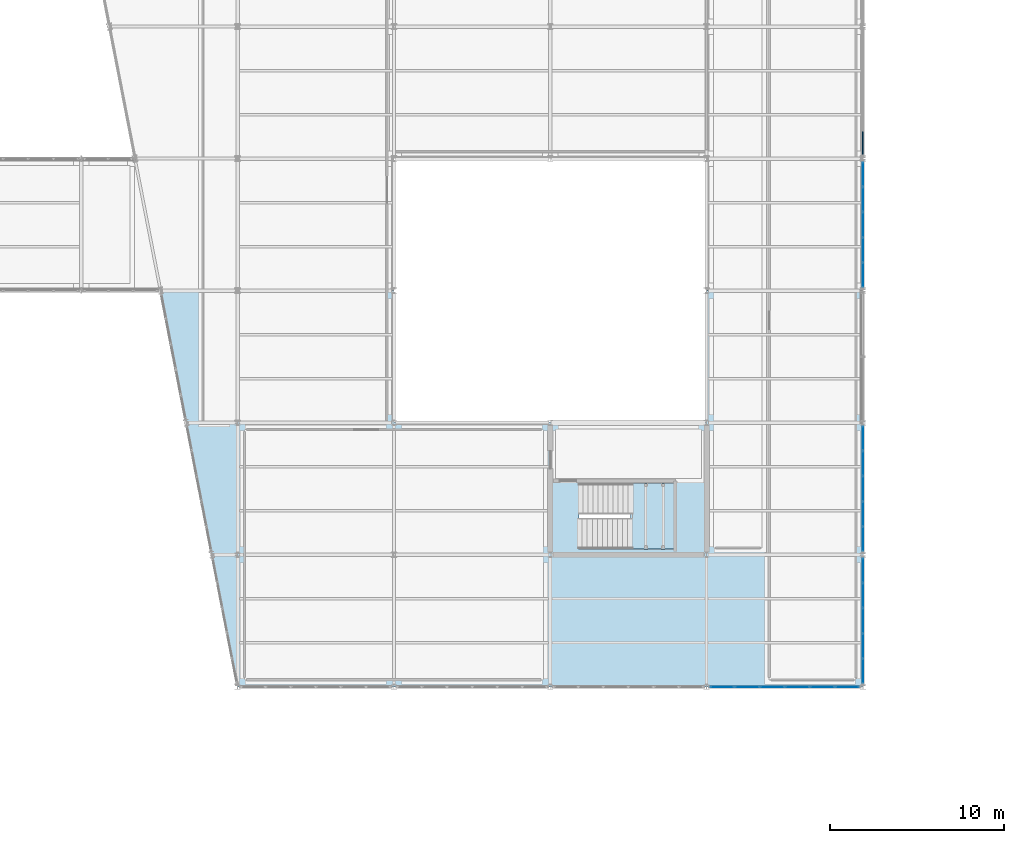
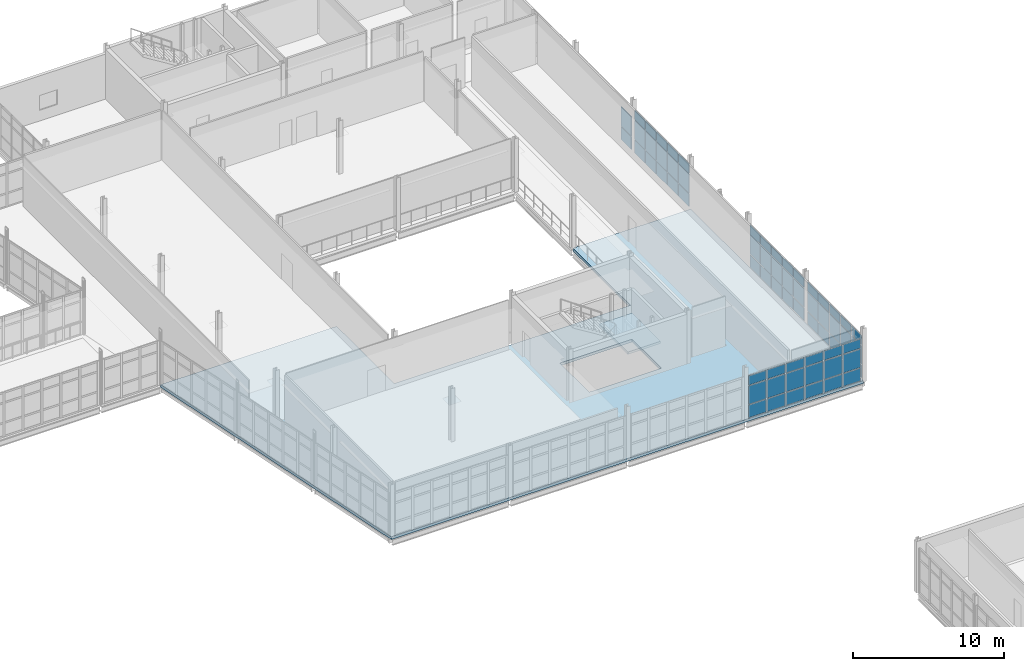
# One storey, part 137 of 166: 65 plates, 2 slabs, 6 elements without a shape of their own.
"""IFC4 building model written with IfcOpenShell, lengths in metres."""

from ifc_helpers import new_model, si_unit, direction, frame, origin, origin_2d, place, context, subcontext, project, spatial, polyline, rectangle, outline, extrude, material, layer, layer_set, type_object, element, aggregate, save


model = new_model("IFC4")

# Units and contexts
model_context = context("Model", 3, precision=1e-05, world=origin(), true_north=direction((0.0, 1.0)))
body_context = subcontext(model_context, "Body", "Model", "MODEL_VIEW")
ifc_project = project(units=[si_unit("LENGTHUNIT", "METRE"), si_unit("AREAUNIT", "SQUARE_METRE"), si_unit("VOLUMEUNIT", "CUBIC_METRE"), si_unit("PLANEANGLEUNIT", "RADIAN"), si_unit("MASSUNIT", "GRAM", prefix="KILO")], contexts=[model_context])

# Site, building, storey
site_placement = place(None, origin())
site = spatial("IfcSite", under=ifc_project, at=site_placement, CompositionType="ELEMENT")
building_placement = place(site_placement, origin())
building = spatial("IfcBuilding", under=site, at=building_placement, Name="Caisbarro Railhouse Central Library", CompositionType="ELEMENT")
storey_placement = place(building_placement, frame((0.0, 0.0, 9.360107421875)))
storey = spatial("IfcBuildingStorey", under=building, at=storey_placement, Name="L02", CompositionType="ELEMENT", Elevation=9.360107421875)

# Curtain wall, plates
ifc_material_1 = material(Name="Anodised architectural aluminium", Category="aluminium")
curtain_wall_type_1 = type_object("IfcCurtainWallType", Name="CW-CW03", PredefinedType="NOTDEFINED", material=ifc_material_1)
curtain_wall_1_placement = place(storey_placement, origin())
curtain_wall_1 = element("IfcCurtainWall", 1, at=curtain_wall_1_placement, inside=storey, type_object=curtain_wall_type_1, Name="CW03 curtain wall L02 #137", PredefinedType="NOTDEFINED")
ifc_material_2 = material(Name="Double low-e laminated solar-control glass", Category="glass")
ifc_layer_1 = layer(ifc_material_2, 0.01806640625, Name="Double low-e laminated solar-control glass")
ifc_layer_set_1 = layer_set([ifc_layer_1], Name="Double low-e laminated solar-control glass")
plate_type_1 = type_object("IfcPlateType", Name="CWP-CP18", PredefinedType="CURTAIN_PANEL", material=ifc_layer_set_1)
plate_1_placement = place(storey_placement, frame((153.0, 61.704345703125, 0.06494140625), z_axis=(0.0, 0.0, 1.0), x_axis=(0.0, 1.0, 0.0)))
plate_1 = element("IfcPlate", 2, at=plate_1_placement, type_object=plate_type_1, Name="CW03 panel 1.1", PredefinedType="CURTAIN_PANEL", context=body_context, shape_type="SweptSolid", body=[
    extrude(rectangle(XDim=1.3583984375, YDim=0.01806640625, at=origin_2d()), origin(), (0.0, 0.0, 1.0), 1.0224609375),
])
plate_2_placement = place(storey_placement, frame((153.0, 61.704345703125, 1.15234375), z_axis=(0.0, 0.0, 1.0), x_axis=(0.0, 1.0, 0.0)))
plate_2 = element("IfcPlate", 3, at=plate_2_placement, type_object=plate_type_1, Name="CW03 panel 1.2", PredefinedType="CURTAIN_PANEL", context=body_context, shape_type="SweptSolid", body=[
    extrude(rectangle(XDim=1.3583984375, YDim=0.01806640625, at=origin_2d()), origin(), (0.0, 0.0, 1.0), 1.52490234375),
])
plate_3_placement = place(storey_placement, frame((153.0, 61.704345703125, 2.742431640625), z_axis=(0.0, 0.0, 1.0), x_axis=(0.0, 1.0, 0.0)))
plate_3 = element("IfcPlate", 4, at=plate_3_placement, type_object=plate_type_1, Name="CW03 panel 1.3", PredefinedType="CURTAIN_PANEL", context=body_context, shape_type="SweptSolid", body=[
    extrude(rectangle(XDim=1.3583984375, YDim=0.01806640625, at=origin_2d()), origin(), (0.0, 0.0, 1.0), 0.75244140625),
])
plate_4_placement = place(storey_placement, frame((153.0, 63.14404296875, 0.06494140625), z_axis=(0.0, 0.0, 1.0), x_axis=(0.0, 1.0, 0.0)))
plate_4 = element("IfcPlate", 5, at=plate_4_placement, type_object=plate_type_1, Name="CW03 panel 2.1", PredefinedType="CURTAIN_PANEL", context=body_context, shape_type="SweptSolid", body=[
    extrude(rectangle(XDim=1.39111328125, YDim=0.01806640625, at=origin_2d()), origin(), (0.0, 0.0, 1.0), 1.0224609375),
])
plate_5_placement = place(storey_placement, frame((153.0, 63.14404296875, 1.15234375), z_axis=(0.0, 0.0, 1.0), x_axis=(0.0, 1.0, 0.0)))
plate_5 = element("IfcPlate", 6, at=plate_5_placement, type_object=plate_type_1, Name="CW03 panel 2.2", PredefinedType="CURTAIN_PANEL", context=body_context, shape_type="SweptSolid", body=[
    extrude(rectangle(XDim=1.39111328125, YDim=0.01806640625, at=origin_2d()), origin(), (0.0, 0.0, 1.0), 1.52490234375),
])
plate_6_placement = place(storey_placement, frame((153.0, 63.14404296875, 2.742431640625), z_axis=(0.0, 0.0, 1.0), x_axis=(0.0, 1.0, 0.0)))
plate_6 = element("IfcPlate", 7, at=plate_6_placement, type_object=plate_type_1, Name="CW03 panel 2.3", PredefinedType="CURTAIN_PANEL", context=body_context, shape_type="SweptSolid", body=[
    extrude(rectangle(XDim=1.39111328125, YDim=0.01806640625, at=origin_2d()), origin(), (0.0, 0.0, 1.0), 0.75244140625),
])
plate_7_placement = place(storey_placement, frame((153.0, 64.60009765625, 0.06494140625), z_axis=(0.0, 0.0, 1.0), x_axis=(0.0, 1.0, 0.0)))
plate_7 = element("IfcPlate", 8, at=plate_7_placement, type_object=plate_type_1, Name="CW03 panel 3.1", PredefinedType="CURTAIN_PANEL", context=body_context, shape_type="SweptSolid", body=[
    extrude(rectangle(XDim=1.39111328125, YDim=0.01806640625, at=origin_2d()), origin(), (0.0, 0.0, 1.0), 1.0224609375),
])
plate_8_placement = place(storey_placement, frame((153.0, 64.60009765625, 1.15234375), z_axis=(0.0, 0.0, 1.0), x_axis=(0.0, 1.0, 0.0)))
plate_8 = element("IfcPlate", 9, at=plate_8_placement, type_object=plate_type_1, Name="CW03 panel 3.2", PredefinedType="CURTAIN_PANEL", context=body_context, shape_type="SweptSolid", body=[
    extrude(rectangle(XDim=1.39111328125, YDim=0.01806640625, at=origin_2d()), origin(), (0.0, 0.0, 1.0), 1.52490234375),
])
plate_9_placement = place(storey_placement, frame((153.0, 64.60009765625, 2.742431640625), z_axis=(0.0, 0.0, 1.0), x_axis=(0.0, 1.0, 0.0)))
plate_9 = element("IfcPlate", 10, at=plate_9_placement, type_object=plate_type_1, Name="CW03 panel 3.3", PredefinedType="CURTAIN_PANEL", context=body_context, shape_type="SweptSolid", body=[
    extrude(rectangle(XDim=1.39111328125, YDim=0.01806640625, at=origin_2d()), origin(), (0.0, 0.0, 1.0), 0.75244140625),
])
plate_10_placement = place(storey_placement, frame((153.0, 66.055908203125, 0.06494140625), z_axis=(0.0, 0.0, 1.0), x_axis=(0.0, 1.0, 0.0)))
plate_10 = element("IfcPlate", 11, at=plate_10_placement, type_object=plate_type_1, Name="CW03 panel 4.1", PredefinedType="CURTAIN_PANEL", context=body_context, shape_type="SweptSolid", body=[
    extrude(rectangle(XDim=1.39111328125, YDim=0.01806640625, at=origin_2d()), origin(), (0.0, 0.0, 1.0), 1.0224609375),
])
plate_11_placement = place(storey_placement, frame((153.0, 66.055908203125, 1.15234375), z_axis=(0.0, 0.0, 1.0), x_axis=(0.0, 1.0, 0.0)))
plate_11 = element("IfcPlate", 12, at=plate_11_placement, type_object=plate_type_1, Name="CW03 panel 4.2", PredefinedType="CURTAIN_PANEL", context=body_context, shape_type="SweptSolid", body=[
    extrude(rectangle(XDim=1.39111328125, YDim=0.01806640625, at=origin_2d()), origin(), (0.0, 0.0, 1.0), 1.52490234375),
])
plate_12_placement = place(storey_placement, frame((153.0, 66.055908203125, 2.742431640625), z_axis=(0.0, 0.0, 1.0), x_axis=(0.0, 1.0, 0.0)))
plate_12 = element("IfcPlate", 13, at=plate_12_placement, type_object=plate_type_1, Name="CW03 panel 4.3", PredefinedType="CURTAIN_PANEL", context=body_context, shape_type="SweptSolid", body=[
    extrude(rectangle(XDim=1.39111328125, YDim=0.01806640625, at=origin_2d()), origin(), (0.0, 0.0, 1.0), 0.75244140625),
])
plate_13_placement = place(storey_placement, frame((153.0, 67.495849609375, 0.06494140625), z_axis=(0.0, 0.0, 1.0), x_axis=(0.0, 1.0, 0.0)))
plate_13 = element("IfcPlate", 14, at=plate_13_placement, type_object=plate_type_1, Name="CW03 panel 5.1", PredefinedType="CURTAIN_PANEL", context=body_context, shape_type="SweptSolid", body=[
    extrude(rectangle(XDim=1.3583984375, YDim=0.01806640625, at=origin_2d()), origin(), (0.0, 0.0, 1.0), 1.0224609375),
])
plate_14_placement = place(storey_placement, frame((153.0, 67.495849609375, 1.15234375), z_axis=(0.0, 0.0, 1.0), x_axis=(0.0, 1.0, 0.0)))
plate_14 = element("IfcPlate", 15, at=plate_14_placement, type_object=plate_type_1, Name="CW03 panel 5.2", PredefinedType="CURTAIN_PANEL", context=body_context, shape_type="SweptSolid", body=[
    extrude(rectangle(XDim=1.3583984375, YDim=0.01806640625, at=origin_2d()), origin(), (0.0, 0.0, 1.0), 1.52490234375),
])
plate_15_placement = place(storey_placement, frame((153.0, 67.495849609375, 2.742431640625), z_axis=(0.0, 0.0, 1.0), x_axis=(0.0, 1.0, 0.0)))
plate_15 = element("IfcPlate", 16, at=plate_15_placement, type_object=plate_type_1, Name="CW03 panel 5.3", PredefinedType="CURTAIN_PANEL", context=body_context, shape_type="SweptSolid", body=[
    extrude(rectangle(XDim=1.3583984375, YDim=0.01806640625, at=origin_2d()), origin(), (0.0, 0.0, 1.0), 0.75244140625),
])
aggregate(curtain_wall_1, [plate_1, plate_2, plate_3, plate_4, plate_5, plate_6, plate_7, plate_8, plate_9, plate_10, plate_11, plate_12, plate_13, plate_14, plate_15])

curtain_wall_type_2 = type_object("IfcCurtainWallType", Name="CW-CW02", PredefinedType="NOTDEFINED", material=ifc_material_1)
curtain_wall_2_placement = place(storey_placement, origin())
curtain_wall_2 = element("IfcCurtainWall", 17, at=curtain_wall_2_placement, inside=storey, type_object=curtain_wall_type_2, Name="CW02 curtain wall L02 #136", PredefinedType="NOTDEFINED")
ifc_layer_2 = layer(ifc_material_2, 0.028076171875, Name="Double low-e laminated solar-control glass")
ifc_layer_set_2 = layer_set([ifc_layer_2], Name="Double low-e laminated solar-control glass")
plate_type_2 = type_object("IfcPlateType", Name="CWP-CP28", PredefinedType="CURTAIN_PANEL", material=ifc_layer_set_2)
plate_16_placement = place(storey_placement, frame((144.902099609375, 60.800048828125, 0.07470703125), z_axis=(0.0, 0.0, 1.0), x_axis=(1.0, 0.0, 0.0)))
plate_16 = element("IfcPlate", 18, at=plate_16_placement, type_object=plate_type_2, Name="CW02 panel 1.1", PredefinedType="CURTAIN_PANEL", context=body_context, shape_type="SweptSolid", body=[
    extrude(rectangle(XDim=1.334228515625, YDim=0.028076171875, at=origin_2d()), origin(), (0.0, 0.0, 1.0), 1.007568359375),
])
plate_17_placement = place(storey_placement, frame((144.902099609375, 60.800048828125, 1.1572265625), z_axis=(0.0, 0.0, 1.0), x_axis=(1.0, 0.0, 0.0)))
plate_17 = element("IfcPlate", 19, at=plate_17_placement, type_object=plate_type_2, Name="CW02 panel 1.2", PredefinedType="CURTAIN_PANEL", context=body_context, shape_type="SweptSolid", body=[
    extrude(rectangle(XDim=1.334228515625, YDim=0.028076171875, at=origin_2d()), origin(), (0.0, 0.0, 1.0), 1.465087890625),
])
plate_18_placement = place(storey_placement, frame((144.902099609375, 60.800048828125, 2.697265625), z_axis=(0.0, 0.0, 1.0), x_axis=(1.0, 0.0, 0.0)))
plate_18 = element("IfcPlate", 20, at=plate_18_placement, type_object=plate_type_2, Name="CW02 panel 1.3", PredefinedType="CURTAIN_PANEL", context=body_context, shape_type="SweptSolid", body=[
    extrude(rectangle(XDim=1.334228515625, YDim=0.028076171875, at=origin_2d()), origin(), (0.0, 0.0, 1.0), 0.737548828125),
])
plate_19_placement = place(storey_placement, frame((146.330078125, 60.800048828125, 0.07470703125), z_axis=(0.0, 0.0, 1.0), x_axis=(1.0, 0.0, 0.0)))
plate_19 = element("IfcPlate", 21, at=plate_19_placement, type_object=plate_type_2, Name="CW02 panel 2.1", PredefinedType="CURTAIN_PANEL", context=body_context, shape_type="SweptSolid", body=[
    extrude(rectangle(XDim=1.37158203125, YDim=0.028076171875, at=origin_2d()), origin(), (0.0, 0.0, 1.0), 1.007568359375),
])
plate_20_placement = place(storey_placement, frame((146.330078125, 60.800048828125, 1.1572265625), z_axis=(0.0, 0.0, 1.0), x_axis=(1.0, 0.0, 0.0)))
plate_20 = element("IfcPlate", 22, at=plate_20_placement, type_object=plate_type_2, Name="CW02 panel 2.2", PredefinedType="CURTAIN_PANEL", context=body_context, shape_type="SweptSolid", body=[
    extrude(rectangle(XDim=1.37158203125, YDim=0.028076171875, at=origin_2d()), origin(), (0.0, 0.0, 1.0), 1.465087890625),
])
plate_21_placement = place(storey_placement, frame((146.330078125, 60.800048828125, 2.697265625), z_axis=(0.0, 0.0, 1.0), x_axis=(1.0, 0.0, 0.0)))
plate_21 = element("IfcPlate", 23, at=plate_21_placement, type_object=plate_type_2, Name="CW02 panel 2.3", PredefinedType="CURTAIN_PANEL", context=body_context, shape_type="SweptSolid", body=[
    extrude(rectangle(XDim=1.37158203125, YDim=0.028076171875, at=origin_2d()), origin(), (0.0, 0.0, 1.0), 0.737548828125),
])
plate_22_placement = place(storey_placement, frame((147.776611328125, 60.800048828125, 0.07470703125), z_axis=(0.0, 0.0, 1.0), x_axis=(1.0, 0.0, 0.0)))
plate_22 = element("IfcPlate", 24, at=plate_22_placement, type_object=plate_type_2, Name="CW02 panel 3.1", PredefinedType="CURTAIN_PANEL", context=body_context, shape_type="SweptSolid", body=[
    extrude(rectangle(XDim=1.37158203125, YDim=0.028076171875, at=origin_2d()), origin(), (0.0, 0.0, 1.0), 1.007568359375),
])
plate_23_placement = place(storey_placement, frame((147.776611328125, 60.800048828125, 1.1572265625), z_axis=(0.0, 0.0, 1.0), x_axis=(1.0, 0.0, 0.0)))
plate_23 = element("IfcPlate", 25, at=plate_23_placement, type_object=plate_type_2, Name="CW02 panel 3.2", PredefinedType="CURTAIN_PANEL", context=body_context, shape_type="SweptSolid", body=[
    extrude(rectangle(XDim=1.37158203125, YDim=0.028076171875, at=origin_2d()), origin(), (0.0, 0.0, 1.0), 1.465087890625),
])
plate_24_placement = place(storey_placement, frame((147.776611328125, 60.800048828125, 2.697265625), z_axis=(0.0, 0.0, 1.0), x_axis=(1.0, 0.0, 0.0)))
plate_24 = element("IfcPlate", 26, at=plate_24_placement, type_object=plate_type_2, Name="CW02 panel 3.3", PredefinedType="CURTAIN_PANEL", context=body_context, shape_type="SweptSolid", body=[
    extrude(rectangle(XDim=1.37158203125, YDim=0.028076171875, at=origin_2d()), origin(), (0.0, 0.0, 1.0), 0.737548828125),
])
plate_25_placement = place(storey_placement, frame((149.223388671875, 60.800048828125, 0.07470703125), z_axis=(0.0, 0.0, 1.0), x_axis=(1.0, 0.0, 0.0)))
plate_25 = element("IfcPlate", 27, at=plate_25_placement, type_object=plate_type_2, Name="CW02 panel 4.1", PredefinedType="CURTAIN_PANEL", context=body_context, shape_type="SweptSolid", body=[
    extrude(rectangle(XDim=1.37158203125, YDim=0.028076171875, at=origin_2d()), origin(), (0.0, 0.0, 1.0), 1.007568359375),
])
plate_26_placement = place(storey_placement, frame((149.223388671875, 60.800048828125, 1.1572265625), z_axis=(0.0, 0.0, 1.0), x_axis=(1.0, 0.0, 0.0)))
plate_26 = element("IfcPlate", 28, at=plate_26_placement, type_object=plate_type_2, Name="CW02 panel 4.2", PredefinedType="CURTAIN_PANEL", context=body_context, shape_type="SweptSolid", body=[
    extrude(rectangle(XDim=1.37158203125, YDim=0.028076171875, at=origin_2d()), origin(), (0.0, 0.0, 1.0), 1.465087890625),
])
plate_27_placement = place(storey_placement, frame((149.223388671875, 60.800048828125, 2.697265625), z_axis=(0.0, 0.0, 1.0), x_axis=(1.0, 0.0, 0.0)))
plate_27 = element("IfcPlate", 29, at=plate_27_placement, type_object=plate_type_2, Name="CW02 panel 4.3", PredefinedType="CURTAIN_PANEL", context=body_context, shape_type="SweptSolid", body=[
    extrude(rectangle(XDim=1.37158203125, YDim=0.028076171875, at=origin_2d()), origin(), (0.0, 0.0, 1.0), 0.737548828125),
])
plate_28_placement = place(storey_placement, frame((150.669921875, 60.800048828125, 0.07470703125), z_axis=(0.0, 0.0, 1.0), x_axis=(1.0, 0.0, 0.0)))
plate_28 = element("IfcPlate", 30, at=plate_28_placement, type_object=plate_type_2, Name="CW02 panel 5.1", PredefinedType="CURTAIN_PANEL", context=body_context, shape_type="SweptSolid", body=[
    extrude(rectangle(XDim=1.37158203125, YDim=0.028076171875, at=origin_2d()), origin(), (0.0, 0.0, 1.0), 1.007568359375),
])
plate_29_placement = place(storey_placement, frame((150.669921875, 60.800048828125, 1.1572265625), z_axis=(0.0, 0.0, 1.0), x_axis=(1.0, 0.0, 0.0)))
plate_29 = element("IfcPlate", 31, at=plate_29_placement, type_object=plate_type_2, Name="CW02 panel 5.2", PredefinedType="CURTAIN_PANEL", context=body_context, shape_type="SweptSolid", body=[
    extrude(rectangle(XDim=1.37158203125, YDim=0.028076171875, at=origin_2d()), origin(), (0.0, 0.0, 1.0), 1.465087890625),
])
plate_30_placement = place(storey_placement, frame((150.669921875, 60.800048828125, 2.697265625), z_axis=(0.0, 0.0, 1.0), x_axis=(1.0, 0.0, 0.0)))
plate_30 = element("IfcPlate", 32, at=plate_30_placement, type_object=plate_type_2, Name="CW02 panel 5.3", PredefinedType="CURTAIN_PANEL", context=body_context, shape_type="SweptSolid", body=[
    extrude(rectangle(XDim=1.37158203125, YDim=0.028076171875, at=origin_2d()), origin(), (0.0, 0.0, 1.0), 0.737548828125),
])
plate_31_placement = place(storey_placement, frame((152.097900390625, 60.800048828125, 0.07470703125), z_axis=(0.0, 0.0, 1.0), x_axis=(1.0, 0.0, 0.0)))
plate_31 = element("IfcPlate", 33, at=plate_31_placement, type_object=plate_type_2, Name="CW02 panel 6.1", PredefinedType="CURTAIN_PANEL", context=body_context, shape_type="SweptSolid", body=[
    extrude(rectangle(XDim=1.334228515625, YDim=0.028076171875, at=origin_2d()), origin(), (0.0, 0.0, 1.0), 1.007568359375),
])
plate_32_placement = place(storey_placement, frame((152.097900390625, 60.800048828125, 1.1572265625), z_axis=(0.0, 0.0, 1.0), x_axis=(1.0, 0.0, 0.0)))
plate_32 = element("IfcPlate", 34, at=plate_32_placement, type_object=plate_type_2, Name="CW02 panel 6.2", PredefinedType="CURTAIN_PANEL", context=body_context, shape_type="SweptSolid", body=[
    extrude(rectangle(XDim=1.334228515625, YDim=0.028076171875, at=origin_2d()), origin(), (0.0, 0.0, 1.0), 1.465087890625),
])
plate_33_placement = place(storey_placement, frame((152.097900390625, 60.800048828125, 2.697265625), z_axis=(0.0, 0.0, 1.0), x_axis=(1.0, 0.0, 0.0)))
plate_33 = element("IfcPlate", 35, at=plate_33_placement, type_object=plate_type_2, Name="CW02 panel 6.3", PredefinedType="CURTAIN_PANEL", context=body_context, shape_type="SweptSolid", body=[
    extrude(rectangle(XDim=1.334228515625, YDim=0.028076171875, at=origin_2d()), origin(), (0.0, 0.0, 1.0), 0.737548828125),
])
aggregate(curtain_wall_2, [plate_16, plate_17, plate_18, plate_19, plate_20, plate_21, plate_22, plate_23, plate_24, plate_25, plate_26, plate_27, plate_28, plate_29, plate_30, plate_31, plate_32, plate_33])

curtain_wall_3_placement = place(storey_placement, origin())
curtain_wall_3 = element("IfcCurtainWall", 36, at=curtain_wall_3_placement, inside=storey, type_object=curtain_wall_type_1, Name="CW03 curtain wall L02 #138", PredefinedType="NOTDEFINED")
plate_34_placement = place(storey_placement, frame((153.0, 69.30419921875, 0.06494140625), z_axis=(0.0, 0.0, 1.0), x_axis=(0.0, 1.0, 0.0)))
plate_34 = element("IfcPlate", 37, at=plate_34_placement, type_object=plate_type_2, Name="CW03 panel 1.1", PredefinedType="CURTAIN_PANEL", context=body_context, shape_type="SweptSolid", body=[
    extrude(rectangle(XDim=1.3583984375, YDim=0.028076171875, at=origin_2d()), origin(), (0.0, 0.0, 1.0), 1.0224609375),
])
plate_35_placement = place(storey_placement, frame((153.0, 69.30419921875, 1.15234375), z_axis=(0.0, 0.0, 1.0), x_axis=(0.0, 1.0, 0.0)))
plate_35 = element("IfcPlate", 38, at=plate_35_placement, type_object=plate_type_2, Name="CW03 panel 1.2", PredefinedType="CURTAIN_PANEL", context=body_context, shape_type="SweptSolid", body=[
    extrude(rectangle(XDim=1.3583984375, YDim=0.028076171875, at=origin_2d()), origin(), (0.0, 0.0, 1.0), 1.52490234375),
])
plate_36_placement = place(storey_placement, frame((153.0, 69.30419921875, 2.742431640625), z_axis=(0.0, 0.0, 1.0), x_axis=(0.0, 1.0, 0.0)))
plate_36 = element("IfcPlate", 39, at=plate_36_placement, type_object=plate_type_2, Name="CW03 panel 1.3", PredefinedType="CURTAIN_PANEL", context=body_context, shape_type="SweptSolid", body=[
    extrude(rectangle(XDim=1.3583984375, YDim=0.028076171875, at=origin_2d()), origin(), (0.0, 0.0, 1.0), 0.75244140625),
])
plate_37_placement = place(storey_placement, frame((153.0, 70.743896484375, 0.06494140625), z_axis=(0.0, 0.0, 1.0), x_axis=(0.0, 1.0, 0.0)))
plate_37 = element("IfcPlate", 40, at=plate_37_placement, type_object=plate_type_2, Name="CW03 panel 2.1", PredefinedType="CURTAIN_PANEL", context=body_context, shape_type="SweptSolid", body=[
    extrude(rectangle(XDim=1.39111328125, YDim=0.028076171875, at=origin_2d()), origin(), (0.0, 0.0, 1.0), 1.0224609375),
])
plate_38_placement = place(storey_placement, frame((153.0, 70.743896484375, 1.15234375), z_axis=(0.0, 0.0, 1.0), x_axis=(0.0, 1.0, 0.0)))
plate_38 = element("IfcPlate", 41, at=plate_38_placement, type_object=plate_type_2, Name="CW03 panel 2.2", PredefinedType="CURTAIN_PANEL", context=body_context, shape_type="SweptSolid", body=[
    extrude(rectangle(XDim=1.39111328125, YDim=0.028076171875, at=origin_2d()), origin(), (0.0, 0.0, 1.0), 1.52490234375),
])
plate_39_placement = place(storey_placement, frame((153.0, 70.743896484375, 2.742431640625), z_axis=(0.0, 0.0, 1.0), x_axis=(0.0, 1.0, 0.0)))
plate_39 = element("IfcPlate", 42, at=plate_39_placement, type_object=plate_type_2, Name="CW03 panel 2.3", PredefinedType="CURTAIN_PANEL", context=body_context, shape_type="SweptSolid", body=[
    extrude(rectangle(XDim=1.39111328125, YDim=0.028076171875, at=origin_2d()), origin(), (0.0, 0.0, 1.0), 0.75244140625),
])
plate_40_placement = place(storey_placement, frame((153.0, 72.199951171875, 0.06494140625), z_axis=(0.0, 0.0, 1.0), x_axis=(0.0, 1.0, 0.0)))
plate_40 = element("IfcPlate", 43, at=plate_40_placement, type_object=plate_type_2, Name="CW03 panel 3.1", PredefinedType="CURTAIN_PANEL", context=body_context, shape_type="SweptSolid", body=[
    extrude(rectangle(XDim=1.39111328125, YDim=0.028076171875, at=origin_2d()), origin(), (0.0, 0.0, 1.0), 1.0224609375),
])
plate_41_placement = place(storey_placement, frame((153.0, 72.199951171875, 1.15234375), z_axis=(0.0, 0.0, 1.0), x_axis=(0.0, 1.0, 0.0)))
plate_41 = element("IfcPlate", 44, at=plate_41_placement, type_object=plate_type_2, Name="CW03 panel 3.2", PredefinedType="CURTAIN_PANEL", context=body_context, shape_type="SweptSolid", body=[
    extrude(rectangle(XDim=1.39111328125, YDim=0.028076171875, at=origin_2d()), origin(), (0.0, 0.0, 1.0), 1.52490234375),
])
plate_42_placement = place(storey_placement, frame((153.0, 72.199951171875, 2.742431640625), z_axis=(0.0, 0.0, 1.0), x_axis=(0.0, 1.0, 0.0)))
plate_42 = element("IfcPlate", 45, at=plate_42_placement, type_object=plate_type_2, Name="CW03 panel 3.3", PredefinedType="CURTAIN_PANEL", context=body_context, shape_type="SweptSolid", body=[
    extrude(rectangle(XDim=1.39111328125, YDim=0.028076171875, at=origin_2d()), origin(), (0.0, 0.0, 1.0), 0.75244140625),
])
plate_43_placement = place(storey_placement, frame((153.0, 73.656005859375, 0.06494140625), z_axis=(0.0, 0.0, 1.0), x_axis=(0.0, 1.0, 0.0)))
plate_43 = element("IfcPlate", 46, at=plate_43_placement, type_object=plate_type_2, Name="CW03 panel 4.1", PredefinedType="CURTAIN_PANEL", context=body_context, shape_type="SweptSolid", body=[
    extrude(rectangle(XDim=1.39111328125, YDim=0.028076171875, at=origin_2d()), origin(), (0.0, 0.0, 1.0), 1.0224609375),
])
plate_44_placement = place(storey_placement, frame((153.0, 73.656005859375, 1.15234375), z_axis=(0.0, 0.0, 1.0), x_axis=(0.0, 1.0, 0.0)))
plate_44 = element("IfcPlate", 47, at=plate_44_placement, type_object=plate_type_2, Name="CW03 panel 4.2", PredefinedType="CURTAIN_PANEL", context=body_context, shape_type="SweptSolid", body=[
    extrude(rectangle(XDim=1.39111328125, YDim=0.028076171875, at=origin_2d()), origin(), (0.0, 0.0, 1.0), 1.52490234375),
])
plate_45_placement = place(storey_placement, frame((153.0, 73.656005859375, 2.742431640625), z_axis=(0.0, 0.0, 1.0), x_axis=(0.0, 1.0, 0.0)))
plate_45 = element("IfcPlate", 48, at=plate_45_placement, type_object=plate_type_2, Name="CW03 panel 4.3", PredefinedType="CURTAIN_PANEL", context=body_context, shape_type="SweptSolid", body=[
    extrude(rectangle(XDim=1.39111328125, YDim=0.028076171875, at=origin_2d()), origin(), (0.0, 0.0, 1.0), 0.75244140625),
])
plate_46_placement = place(storey_placement, frame((153.0, 75.095703125, 0.06494140625), z_axis=(0.0, 0.0, 1.0), x_axis=(0.0, 1.0, 0.0)))
plate_46 = element("IfcPlate", 49, at=plate_46_placement, type_object=plate_type_2, Name="CW03 panel 5.1", PredefinedType="CURTAIN_PANEL", context=body_context, shape_type="SweptSolid", body=[
    extrude(rectangle(XDim=1.3583984375, YDim=0.028076171875, at=origin_2d()), origin(), (0.0, 0.0, 1.0), 1.0224609375),
])
plate_47_placement = place(storey_placement, frame((153.0, 75.095703125, 1.15234375), z_axis=(0.0, 0.0, 1.0), x_axis=(0.0, 1.0, 0.0)))
plate_47 = element("IfcPlate", 50, at=plate_47_placement, type_object=plate_type_2, Name="CW03 panel 5.2", PredefinedType="CURTAIN_PANEL", context=body_context, shape_type="SweptSolid", body=[
    extrude(rectangle(XDim=1.3583984375, YDim=0.028076171875, at=origin_2d()), origin(), (0.0, 0.0, 1.0), 1.52490234375),
])
plate_48_placement = place(storey_placement, frame((153.0, 75.095703125, 2.742431640625), z_axis=(0.0, 0.0, 1.0), x_axis=(0.0, 1.0, 0.0)))
plate_48 = element("IfcPlate", 51, at=plate_48_placement, type_object=plate_type_2, Name="CW03 panel 5.3", PredefinedType="CURTAIN_PANEL", context=body_context, shape_type="SweptSolid", body=[
    extrude(rectangle(XDim=1.3583984375, YDim=0.028076171875, at=origin_2d()), origin(), (0.0, 0.0, 1.0), 0.75244140625),
])
aggregate(curtain_wall_3, [plate_34, plate_35, plate_36, plate_37, plate_38, plate_39, plate_40, plate_41, plate_42, plate_43, plate_44, plate_45, plate_46, plate_47, plate_48])

curtain_wall_4_placement = place(storey_placement, origin())
curtain_wall_4 = element("IfcCurtainWall", 52, at=curtain_wall_4_placement, inside=storey, type_object=curtain_wall_type_1, Name="CW03 curtain wall L02 #139", PredefinedType="NOTDEFINED")
ifc_layer_3 = layer(ifc_material_2, 0.048095703125, Name="Double low-e laminated solar-control glass")
ifc_layer_set_3 = layer_set([ifc_layer_3], Name="Double low-e laminated solar-control glass")
plate_type_3 = type_object("IfcPlateType", Name="CWP-CP48", PredefinedType="CURTAIN_PANEL", material=ifc_layer_set_3)
plate_49_placement = place(storey_placement, frame((153.0, 84.504150390625, 0.06494140625), z_axis=(0.0, 0.0, 1.0), x_axis=(0.0, 1.0, 0.0)))
plate_49 = element("IfcPlate", 53, at=plate_49_placement, type_object=plate_type_3, Name="CW03 panel 1.1", PredefinedType="CURTAIN_PANEL", context=body_context, shape_type="SweptSolid", body=[
    extrude(rectangle(XDim=1.3583984375, YDim=0.048095703125, at=origin_2d()), origin(), (0.0, 0.0, 1.0), 1.0224609375),
])
plate_50_placement = place(storey_placement, frame((153.0, 84.504150390625, 1.15234375), z_axis=(0.0, 0.0, 1.0), x_axis=(0.0, 1.0, 0.0)))
plate_50 = element("IfcPlate", 54, at=plate_50_placement, type_object=plate_type_3, Name="CW03 panel 1.2", PredefinedType="CURTAIN_PANEL", context=body_context, shape_type="SweptSolid", body=[
    extrude(rectangle(XDim=1.3583984375, YDim=0.048095703125, at=origin_2d()), origin(), (0.0, 0.0, 1.0), 1.52490234375),
])
plate_51_placement = place(storey_placement, frame((153.0, 84.504150390625, 2.742431640625), z_axis=(0.0, 0.0, 1.0), x_axis=(0.0, 1.0, 0.0)))
plate_51 = element("IfcPlate", 55, at=plate_51_placement, type_object=plate_type_3, Name="CW03 panel 1.3", PredefinedType="CURTAIN_PANEL", context=body_context, shape_type="SweptSolid", body=[
    extrude(rectangle(XDim=1.3583984375, YDim=0.048095703125, at=origin_2d()), origin(), (0.0, 0.0, 1.0), 0.75244140625),
])
plate_52_placement = place(storey_placement, frame((153.0, 85.944091796875, 0.06494140625), z_axis=(0.0, 0.0, 1.0), x_axis=(0.0, 1.0, 0.0)))
plate_52 = element("IfcPlate", 56, at=plate_52_placement, type_object=plate_type_3, Name="CW03 panel 2.1", PredefinedType="CURTAIN_PANEL", context=body_context, shape_type="SweptSolid", body=[
    extrude(rectangle(XDim=1.39111328125, YDim=0.048095703125, at=origin_2d()), origin(), (0.0, 0.0, 1.0), 1.0224609375),
])
plate_53_placement = place(storey_placement, frame((153.0, 85.944091796875, 1.15234375), z_axis=(0.0, 0.0, 1.0), x_axis=(0.0, 1.0, 0.0)))
plate_53 = element("IfcPlate", 57, at=plate_53_placement, type_object=plate_type_3, Name="CW03 panel 2.2", PredefinedType="CURTAIN_PANEL", context=body_context, shape_type="SweptSolid", body=[
    extrude(rectangle(XDim=1.39111328125, YDim=0.048095703125, at=origin_2d()), origin(), (0.0, 0.0, 1.0), 1.52490234375),
])
plate_54_placement = place(storey_placement, frame((153.0, 85.944091796875, 2.742431640625), z_axis=(0.0, 0.0, 1.0), x_axis=(0.0, 1.0, 0.0)))
plate_54 = element("IfcPlate", 58, at=plate_54_placement, type_object=plate_type_3, Name="CW03 panel 2.3", PredefinedType="CURTAIN_PANEL", context=body_context, shape_type="SweptSolid", body=[
    extrude(rectangle(XDim=1.39111328125, YDim=0.048095703125, at=origin_2d()), origin(), (0.0, 0.0, 1.0), 0.75244140625),
])
plate_55_placement = place(storey_placement, frame((153.0, 87.39990234375, 0.06494140625), z_axis=(0.0, 0.0, 1.0), x_axis=(0.0, 1.0, 0.0)))
plate_55 = element("IfcPlate", 59, at=plate_55_placement, type_object=plate_type_3, Name="CW03 panel 3.1", PredefinedType="CURTAIN_PANEL", context=body_context, shape_type="SweptSolid", body=[
    extrude(rectangle(XDim=1.39111328125, YDim=0.048095703125, at=origin_2d()), origin(), (0.0, 0.0, 1.0), 1.0224609375),
])
plate_56_placement = place(storey_placement, frame((153.0, 87.39990234375, 1.15234375), z_axis=(0.0, 0.0, 1.0), x_axis=(0.0, 1.0, 0.0)))
plate_56 = element("IfcPlate", 60, at=plate_56_placement, type_object=plate_type_3, Name="CW03 panel 3.2", PredefinedType="CURTAIN_PANEL", context=body_context, shape_type="SweptSolid", body=[
    extrude(rectangle(XDim=1.39111328125, YDim=0.048095703125, at=origin_2d()), origin(), (0.0, 0.0, 1.0), 1.52490234375),
])
plate_57_placement = place(storey_placement, frame((153.0, 87.39990234375, 2.742431640625), z_axis=(0.0, 0.0, 1.0), x_axis=(0.0, 1.0, 0.0)))
plate_57 = element("IfcPlate", 61, at=plate_57_placement, type_object=plate_type_3, Name="CW03 panel 3.3", PredefinedType="CURTAIN_PANEL", context=body_context, shape_type="SweptSolid", body=[
    extrude(rectangle(XDim=1.39111328125, YDim=0.048095703125, at=origin_2d()), origin(), (0.0, 0.0, 1.0), 0.75244140625),
])
plate_58_placement = place(storey_placement, frame((153.0, 88.85595703125, 0.06494140625), z_axis=(0.0, 0.0, 1.0), x_axis=(0.0, 1.0, 0.0)))
plate_58 = element("IfcPlate", 62, at=plate_58_placement, type_object=plate_type_3, Name="CW03 panel 4.1", PredefinedType="CURTAIN_PANEL", context=body_context, shape_type="SweptSolid", body=[
    extrude(rectangle(XDim=1.39111328125, YDim=0.048095703125, at=origin_2d()), origin(), (0.0, 0.0, 1.0), 1.0224609375),
])
plate_59_placement = place(storey_placement, frame((153.0, 88.85595703125, 1.15234375), z_axis=(0.0, 0.0, 1.0), x_axis=(0.0, 1.0, 0.0)))
plate_59 = element("IfcPlate", 63, at=plate_59_placement, type_object=plate_type_3, Name="CW03 panel 4.2", PredefinedType="CURTAIN_PANEL", context=body_context, shape_type="SweptSolid", body=[
    extrude(rectangle(XDim=1.39111328125, YDim=0.048095703125, at=origin_2d()), origin(), (0.0, 0.0, 1.0), 1.52490234375),
])
plate_60_placement = place(storey_placement, frame((153.0, 88.85595703125, 2.742431640625), z_axis=(0.0, 0.0, 1.0), x_axis=(0.0, 1.0, 0.0)))
plate_60 = element("IfcPlate", 64, at=plate_60_placement, type_object=plate_type_3, Name="CW03 panel 4.3", PredefinedType="CURTAIN_PANEL", context=body_context, shape_type="SweptSolid", body=[
    extrude(rectangle(XDim=1.39111328125, YDim=0.048095703125, at=origin_2d()), origin(), (0.0, 0.0, 1.0), 0.75244140625),
])
plate_61_placement = place(storey_placement, frame((153.0, 90.295654296875, 0.06494140625), z_axis=(0.0, 0.0, 1.0), x_axis=(0.0, 1.0, 0.0)))
plate_61 = element("IfcPlate", 65, at=plate_61_placement, type_object=plate_type_3, Name="CW03 panel 5.1", PredefinedType="CURTAIN_PANEL", context=body_context, shape_type="SweptSolid", body=[
    extrude(rectangle(XDim=1.3583984375, YDim=0.048095703125, at=origin_2d()), origin(), (0.0, 0.0, 1.0), 1.0224609375),
])
plate_62_placement = place(storey_placement, frame((153.0, 90.295654296875, 1.15234375), z_axis=(0.0, 0.0, 1.0), x_axis=(0.0, 1.0, 0.0)))
plate_62 = element("IfcPlate", 66, at=plate_62_placement, type_object=plate_type_3, Name="CW03 panel 5.2", PredefinedType="CURTAIN_PANEL", context=body_context, shape_type="SweptSolid", body=[
    extrude(rectangle(XDim=1.3583984375, YDim=0.048095703125, at=origin_2d()), origin(), (0.0, 0.0, 1.0), 1.52490234375),
])
plate_63_placement = place(storey_placement, frame((153.0, 90.295654296875, 2.742431640625), z_axis=(0.0, 0.0, 1.0), x_axis=(0.0, 1.0, 0.0)))
plate_63 = element("IfcPlate", 67, at=plate_63_placement, type_object=plate_type_3, Name="CW03 panel 5.3", PredefinedType="CURTAIN_PANEL", context=body_context, shape_type="SweptSolid", body=[
    extrude(rectangle(XDim=1.3583984375, YDim=0.048095703125, at=origin_2d()), origin(), (0.0, 0.0, 1.0), 0.75244140625),
])
aggregate(curtain_wall_4, [plate_49, plate_50, plate_51, plate_52, plate_53, plate_54, plate_55, plate_56, plate_57, plate_58, plate_59, plate_60, plate_61, plate_62, plate_63])

curtain_wall_5_placement = place(storey_placement, origin())
curtain_wall_5 = element("IfcCurtainWall", 68, at=curtain_wall_5_placement, inside=storey, type_object=curtain_wall_type_1, Name="CW03 curtain wall L02 #140", PredefinedType="NOTDEFINED")
ifc_layer_4 = layer(ifc_material_2, 0.05810546875, Name="Double low-e laminated solar-control glass")
ifc_layer_set_4 = layer_set([ifc_layer_4], Name="Double low-e laminated solar-control glass")
plate_type_4 = type_object("IfcPlateType", Name="CWP-CP58", PredefinedType="CURTAIN_PANEL", material=ifc_layer_set_4)
plate_64_placement = place(storey_placement, frame((153.0, 92.104248046875, 0.06494140625), z_axis=(0.0, 0.0, 1.0), x_axis=(0.0, 1.0, 0.0)))
plate_64 = element("IfcPlate", 69, at=plate_64_placement, type_object=plate_type_4, Name="CW03 panel 1.1", PredefinedType="CURTAIN_PANEL", context=body_context, shape_type="SweptSolid", body=[
    extrude(rectangle(XDim=1.3583984375, YDim=0.05810546875, at=origin_2d()), origin(), (0.0, 0.0, 1.0), 1.0224609375),
])
plate_65_placement = place(storey_placement, frame((153.0, 92.104248046875, 1.15234375), z_axis=(0.0, 0.0, 1.0), x_axis=(0.0, 1.0, 0.0)))
plate_65 = element("IfcPlate", 70, at=plate_65_placement, type_object=plate_type_4, Name="CW03 panel 1.2", PredefinedType="CURTAIN_PANEL", context=body_context, shape_type="SweptSolid", body=[
    extrude(rectangle(XDim=1.3583984375, YDim=0.05810546875, at=origin_2d()), origin(), (0.0, 0.0, 1.0), 1.52490234375),
])
aggregate(curtain_wall_5, [plate_64, plate_65])

# Slab
ifc_material_3 = material(Name="Concrete C35", Category="concrete")
ifc_layer_5 = layer(ifc_material_3, 0.219970703125, Name="Concrete C35")
ifc_layer_set_5 = layer_set([ifc_layer_5], Name="Concrete C35")
slab_type_1 = type_object("IfcSlabType", Name="SLB-FL22", PredefinedType="FLOOR", material=ifc_layer_set_5)
slab_1_placement = place(storey_placement, frame((0.0, 0.0, -0.22021484375)))
element("IfcSlab", 71, at=slab_1_placement, inside=storey, type_object=slab_type_1, Name="SF22 structural slab L02 V4.1", PredefinedType="FLOOR", context=body_context, shape_type="SweptSolid", body=[
    extrude(outline(polyline([(117.0, 60.800048828125), (153.0, 60.800048828125), (153.0, 83.60009765625), (144.0, 83.60009765625), (144.0, 76.0), (126.0, 76.0), (126.0, 83.60009765625), (112.568115234375, 83.60009765625), (117.0, 60.800048828125)]), holes=[polyline([(136.64990234375, 68.699951171875), (142.14990234375, 68.699951171875), (142.14990234375, 72.550048828125), (136.64990234375, 72.550048828125), (136.64990234375, 68.699951171875)])]), origin(), (0.0, 0.0, 1.0), 0.22021484375),
])

# Stair, slab
stair_type = type_object("IfcStairType", Name="STR-ST43C", PredefinedType="HALF_TURN_STAIR", material=ifc_material_3)
stair_placement = place(storey_placement, origin())
stair = element("IfcStair", 72, at=stair_placement, inside=storey, type_object=stair_type, Name="Protected Stair ST-07 (L02)", PredefinedType="HALF_TURN_STAIR")
ifc_layer_6 = layer(ifc_material_3, 0.18994140625, Name="Concrete C35")
ifc_layer_set_6 = layer_set([ifc_layer_6], Name="Concrete C35")
slab_type_2 = type_object("IfcSlabType", Name="SLB-LND19", PredefinedType="LANDING", material=ifc_layer_set_6)
slab_2_placement = place(storey_placement, frame((0.0, 0.0, 1.969970703125)))
slab_2 = element("IfcSlab", 73, at=slab_2_placement, type_object=slab_type_2, Name="ST-07 landing 1", PredefinedType="LANDING", context=body_context, shape_type="SweptSolid", body=[
    extrude(outline(polyline([(139.6201171875, 68.739990234375), (142.1201171875, 68.739990234375), (142.1201171875, 72.510009765625), (139.6201171875, 72.510009765625), (139.6201171875, 68.739990234375)])), origin(), (0.0, 0.0, 1.0), 0.18994140625),
])
aggregate(stair, [slab_2])

save(model, "model.ifc")
